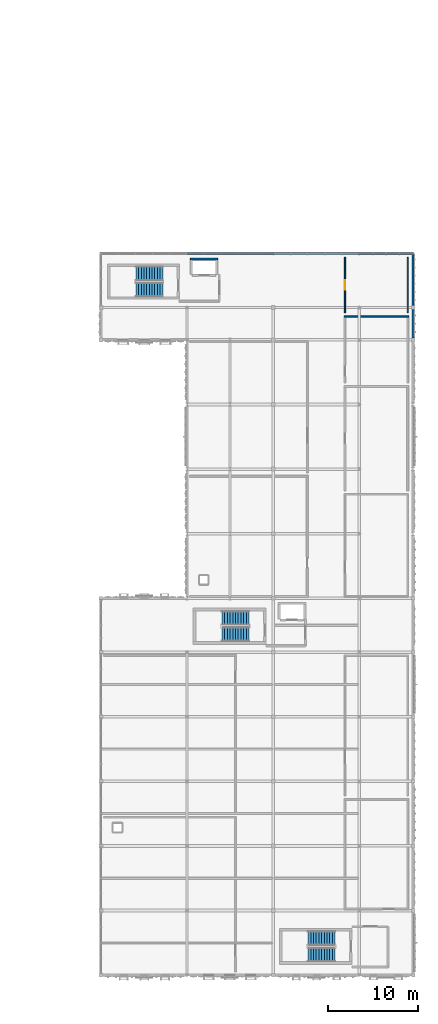
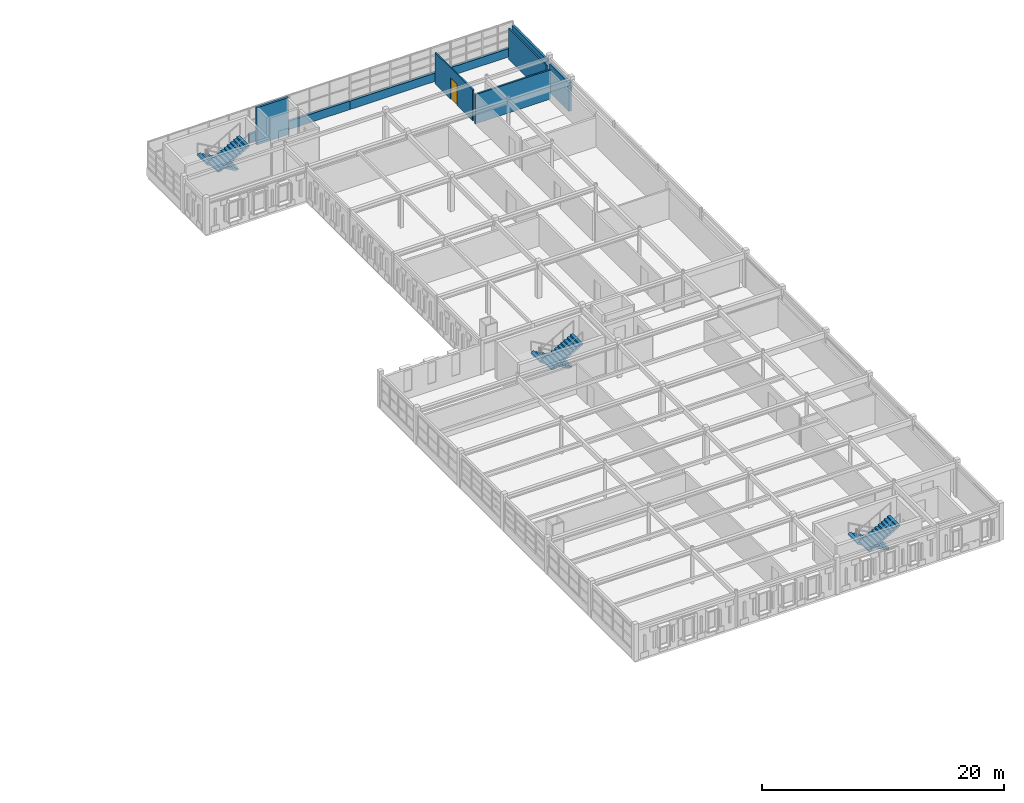
# One storey, part 31 of 46: 9 walls, 6 stair flights, 1 door, 1 opening, 3 elements without a shape of their own.
"""IFC4 building model written with IfcOpenShell, lengths in metres."""

from ifc_helpers import new_model, si_unit, direction, frame, frame_2d, origin, place, context, subcontext, project, spatial, polyline, rectangle, outline, extrude, material, layer, layer_set, type_object, element, fill, aggregate, save


model = new_model("IFC4")

# Units and contexts
model_context = context("Model", 3, precision=1e-05, world=origin(), true_north=direction((0.0, 1.0)))
body_context = subcontext(model_context, "Body", "Model", "MODEL_VIEW")
ifc_project = project(units=[si_unit("LENGTHUNIT", "METRE"), si_unit("AREAUNIT", "SQUARE_METRE"), si_unit("VOLUMEUNIT", "CUBIC_METRE"), si_unit("PLANEANGLEUNIT", "RADIAN"), si_unit("MASSUNIT", "GRAM", prefix="KILO")], contexts=[model_context])

# Site, building, storey
site_placement = place(None, origin())
site = spatial("IfcSite", under=ifc_project, at=site_placement, CompositionType="ELEMENT")
building_placement = place(site_placement, origin())
building = spatial("IfcBuilding", under=site, at=building_placement, Name="Nzembalo Square Collegiate School", CompositionType="ELEMENT")
storey_placement = place(building_placement, frame((0.0, 0.0, 17.340087890625)))
storey = spatial("IfcBuildingStorey", under=building, at=storey_placement, Name="L04", CompositionType="ELEMENT", Elevation=17.340087890625)

# Walls
ifc_material_1 = material(Name="Concrete C35/45", Category="concrete")
ifc_layer_1 = layer(ifc_material_1, 0.219970703125, Name="Concrete C35/45")
ifc_layer_set_1 = layer_set([ifc_layer_1], Name="Concrete C35/45")
wall_type_1 = type_object("IfcWallType", Name="SW08", PredefinedType="SHEAR", material=ifc_layer_set_1)
wall_1_placement = place(storey_placement, frame((140.780029296875, 88.2099609375, 0.0), z_axis=(0.0, 0.0, 1.0), x_axis=(1.0, 0.0, 0.0)))
element("IfcWall", 1, at=wall_1_placement, inside=storey, type_object=wall_type_1, Name="Lift LF3 shaft wall N L04", PredefinedType="SHEAR", context=body_context, shape_type="SweptSolid", body=[
    extrude(rectangle(XDim=3.0400390625, YDim=0.219970703125, at=frame_2d((1.52001953125, 0.0))), origin(), (0.0, 0.0, 1.0), 3.739990234375),
])
ifc_material_2 = material(Name="CLT CL24", Category="wood")
ifc_layer_2 = layer(ifc_material_2, 0.2451171875, Name="CLT CL24")
ifc_layer_set_2 = layer_set([ifc_layer_2], Name="CLT CL24")
wall_type_2 = type_object("IfcWallType", Name="W07", PredefinedType="SOLIDWALL", material=ifc_layer_set_2)
wall_2_placement = place(storey_placement, frame((150.0, 88.800048828125, 0.0), z_axis=(0.0, 0.0, 1.0), x_axis=(1.0, 0.0, 0.0)))
element("IfcWall", 2, at=wall_2_placement, inside=storey, type_object=wall_type_2, Name="Spandrel wall W07 L04", PredefinedType="SOLIDWALL", context=body_context, shape_type="SweptSolid", body=[
    extrude(rectangle(XDim=9.60009765625, YDim=0.2451171875, at=frame_2d((4.800048828125, 0.0))), origin(), (0.0, 0.0, 1.0), 0.849853515625),
])
wall_3_placement = place(storey_placement, frame((165.60009765625, 79.412109375, 0.0), z_axis=(0.0, 0.0, 1.0), x_axis=(0.0, 1.0, 0.0)))
element("IfcWall", 3, at=wall_3_placement, inside=storey, type_object=wall_type_2, Name="Exterior wall W07 L04", PredefinedType="SOLIDWALL", context=body_context, shape_type="SweptSolid", body=[
    extrude(rectangle(XDim=3.17578125, YDim=0.2451171875, at=frame_2d((1.587890625, 0.0))), origin(), (0.0, 0.0, 1.0), 2.868896484375),
])
ifc_material_3 = material(Name="CLT CL24", Category="wood")
ifc_layer_3 = layer(ifc_material_3, 0.215087890625, Name="CLT CL24")
ifc_layer_set_3 = layer_set([ifc_layer_3], Name="CLT CL24")
wall_type_3 = type_object("IfcWallType", Name="W08", PredefinedType="SOLIDWALL", material=ifc_layer_set_3)
wall_4_placement = place(storey_placement, frame((140.39990234375, 88.800048828125, 0.0), z_axis=(0.0, 0.0, 1.0), x_axis=(1.0, 0.0, 0.0)))
element("IfcWall", 4, at=wall_4_placement, inside=storey, type_object=wall_type_3, Name="Spandrel wall W08 L04", PredefinedType="SOLIDWALL", context=body_context, shape_type="SweptSolid", body=[
    extrude(rectangle(XDim=9.60009765625, YDim=0.215087890625, at=frame_2d((4.800048828125, 0.0))), origin(), (0.0, 0.0, 1.0), 0.849853515625),
])
wall_5_placement = place(storey_placement, frame((159.60009765625, 88.800048828125, 0.0), z_axis=(0.0, 0.0, 1.0), x_axis=(1.0, 0.0, 0.0)))
element("IfcWall", 5, at=wall_5_placement, inside=storey, type_object=wall_type_3, Name="Spandrel wall W08 L04", PredefinedType="SOLIDWALL", context=body_context, shape_type="SweptSolid", body=[
    extrude(rectangle(XDim=6.0, YDim=0.215087890625, at=frame_2d((3.0, 0.0))), origin(), (0.0, 0.0, 1.0), 0.849853515625),
])
wall_6_placement = place(storey_placement, frame((165.60009765625, 83.011962890625, 0.0), z_axis=(0.0, 0.0, 1.0), x_axis=(0.0, 1.0, 0.0)))
element("IfcWall", 6, at=wall_6_placement, inside=storey, type_object=wall_type_3, Name="Exterior wall W08 L04", PredefinedType="SOLIDWALL", context=body_context, shape_type="SweptSolid", body=[
    extrude(rectangle(XDim=5.7880859375, YDim=0.215087890625, at=frame_2d((2.89404296875, 0.0))), origin(), (0.0, 0.0, 1.0), 2.97900390625),
])
ifc_material_4 = material(Name="Moisture-resistant acoustic stud")
ifc_layer_4 = layer(ifc_material_4, 0.1650390625, Name="Moisture-resistant acoustic stud")
ifc_layer_set_4 = layer_set([ifc_layer_4], Name="Moisture-resistant acoustic stud")
wall_type_4 = type_object("IfcWallType", Name="W15", PredefinedType="PARTITIONING", material=ifc_layer_set_4)
wall_7_placement = place(storey_placement, frame((157.91748046875, 81.800048828125, 0.0), z_axis=(0.0, 0.0, 1.0), x_axis=(1.0, 0.0, 0.0)))
element("IfcWall", 7, at=wall_7_placement, inside=storey, type_object=wall_type_4, Name="Interior partition W15 L04-028-N", PredefinedType="PARTITIONING", context=body_context, shape_type="SweptSolid", body=[
    extrude(rectangle(XDim=7.1650390625, YDim=0.1650390625, at=frame_2d((3.58251953125, 0.0))), origin(), (0.0, 0.0, 1.0), 2.948974609375),
])

# Wall, opening, door
ifc_material_5 = material(Name="Cement-board wet-room partition")
ifc_layer_5 = layer(ifc_material_5, 0.135009765625, Name="Cement-board wet-room partition")
ifc_layer_set_5 = layer_set([ifc_layer_5], Name="Cement-board wet-room partition")
wall_type_5 = type_object("IfcWallType", Name="W19", PredefinedType="PARTITIONING", material=ifc_layer_set_5)
wall_8_placement = place(storey_placement, frame((158.0, 82.199951171875, 0.0), z_axis=(0.0, 0.0, 1.0), x_axis=(0.0, 1.0, 0.0)))
wall_8 = element("IfcWall", 8, at=wall_8_placement, inside=storey, type_object=wall_type_5, Name="Interior partition W19 L04-029-W", PredefinedType="PARTITIONING", context=body_context, shape_type="SweptSolid", body=[
    extrude(rectangle(XDim=6.199951171875, YDim=0.135009765625, at=frame_2d((3.10009765625, 0.0))), origin(), (0.0, 0.0, 1.0), 3.12890625),
])
opening_placement = place(wall_8_placement, frame((2.580078125, 0.0, 0.0)))
opening = element("IfcOpeningElement", 9, at=opening_placement, cuts=wall_8, Name="Opening D-L04-102", PredefinedType="OPENING", context=body_context, shape_type="SweptSolid", body=[
    extrude(rectangle(XDim=1.0400390625, YDim=2.1201171875, at=frame_2d((0.52001953125, 1.06005859375))), frame((0.0, 0.07763671875, 0.0), z_axis=(0.0, -1.0, 0.0), x_axis=(1.0, 0.0, 0.0)), (0.0, 0.0, 1.0), 0.155029296875),
])
ifc_material_6 = material(Name="Accessible outward-swing WC door")
door_type = type_object("IfcDoorType", Name="D09", OperationType="NOTDEFINED", PredefinedType="DOOR", material=ifc_material_6)
door_placement = place(opening_placement, origin())
door = element("IfcDoor", 10, at=door_placement, inside=storey, type_object=door_type, Name="Interior door D-L04-102 (East L04 Boys', Girls' and Wheelchair Accessible WCs)", OperationType="SINGLE_SWING_RIGHT", OverallHeight=2.1201171875, OverallWidth=1.0400390625, PredefinedType="DOOR", context=body_context, shape_type="SweptSolid", body=[
    extrude(rectangle(XDim=1.0400390625, YDim=2.1201171875, at=frame_2d((0.52001953125, 1.06005859375))), frame((0.0, 0.02490234375, 0.0), z_axis=(0.0, -1.0, 0.0), x_axis=(1.0, 0.0, 0.0)), (0.0, 0.0, 1.0), 0.050048828125),
])
fill(opening, door)

# Wall
wall_9_placement = place(storey_placement, frame((165.0, 82.199951171875, 0.0), z_axis=(0.0, 0.0, 1.0), x_axis=(0.0, 1.0, 0.0)))
element("IfcWall", 11, at=wall_9_placement, inside=storey, type_object=wall_type_5, Name="Interior partition W19 L04-029-E", PredefinedType="PARTITIONING", context=body_context, shape_type="SweptSolid", body=[
    extrude(rectangle(XDim=6.199951171875, YDim=0.135009765625, at=frame_2d((3.10009765625, 0.0))), origin(), (0.0, 0.0, 1.0), 3.12890625),
])

# Stair, stair flights
ifc_material_7 = material(Name="Precast concrete C40/50", Category="concrete")
stair_type = type_object("IfcStairType", Name="ST-22R", PredefinedType="HALF_TURN_STAIR", material=ifc_material_7)
stair_1_placement = place(storey_placement, origin())
stair_1 = element("IfcStair", 12, at=stair_1_placement, inside=storey, type_object=stair_type, Name="Escape stair ST-17 (C4 L04)", PredefinedType="HALF_TURN_STAIR")
ifc_material_8 = material(Name="Precast concrete C40/50", Category="concrete")
stair_flight_type = type_object("IfcStairFlightType", Name="FL-11R", PredefinedType="STRAIGHT", material=ifc_material_8)
stair_flight_1_placement = place(storey_placement, frame((137.699951171875, 86.60009765625, 0.0), z_axis=(0.0, 0.0, 1.0), x_axis=(-1.0, 0.0, 0.0)))
stair_flight_1 = element("IfcStairFlight", 13, at=stair_flight_1_placement, type_object=stair_flight_type, Name="ST-17 flight 1", NumberOfRisers=11, NumberOfTreads=10, PredefinedType="STRAIGHT", RiserHeight=0.17, TreadLength=0.3, context=body_context, shape_type="SweptSolid", body=[
    extrude(outline(polyline([(0.0, 0.0), (0.0, 0.169921875), (0.300048828125, 0.169921875), (0.300048828125, 0.340087890625), (0.60009765625, 0.340087890625), (0.60009765625, 0.510009765625), (0.89990234375, 0.510009765625), (0.89990234375, 0.679931640625), (1.199951171875, 0.679931640625), (1.199951171875, 0.85009765625), (1.5, 0.85009765625), (1.5, 1.02001953125), (1.800048828125, 1.02001953125), (1.800048828125, 1.18994140625), (2.10009765625, 1.18994140625), (2.10009765625, 1.360107421875), (2.39990234375, 1.360107421875), (2.39990234375, 1.530029296875), (2.699951171875, 1.530029296875), (2.699951171875, 1.699951171875), (3.0, 1.699951171875), (3.0, 1.8701171875), (3.0, 1.51611328125), (0.324462890625, 0.0), (0.0, 0.0)])), frame((0.0, 0.800048828125, 0.0), z_axis=(0.0, -1.0, 0.0), x_axis=(1.0, 0.0, 0.0)), (0.0, 0.0, 1.0), 1.60009765625),
])
stair_flight_2_placement = place(storey_placement, frame((134.699951171875, 84.800048828125, 1.869873046875), z_axis=(0.0, 0.0, 1.0), x_axis=(1.0, 0.0, 0.0)))
stair_flight_2 = element("IfcStairFlight", 14, at=stair_flight_2_placement, type_object=stair_flight_type, Name="ST-17 flight 2", NumberOfRisers=11, NumberOfTreads=10, PredefinedType="STRAIGHT", RiserHeight=0.17, TreadLength=0.3, context=body_context, shape_type="SweptSolid", body=[
    extrude(outline(polyline([(0.0, 0.0), (0.0, 0.169921875), (0.300048828125, 0.169921875), (0.300048828125, 0.340087890625), (0.60009765625, 0.340087890625), (0.60009765625, 0.510009765625), (0.89990234375, 0.510009765625), (0.89990234375, 0.679931640625), (1.199951171875, 0.679931640625), (1.199951171875, 0.85009765625), (1.5, 0.85009765625), (1.5, 1.02001953125), (1.800048828125, 1.02001953125), (1.800048828125, 1.18994140625), (2.10009765625, 1.18994140625), (2.10009765625, 1.360107421875), (2.39990234375, 1.360107421875), (2.39990234375, 1.530029296875), (2.699951171875, 1.530029296875), (2.699951171875, 1.699951171875), (3.0, 1.699951171875), (3.0, 1.8701171875), (3.0, 1.51611328125), (0.324462890625, 0.0), (0.0, 0.0)])), frame((0.0, 0.800048828125, 0.0), z_axis=(0.0, -1.0, 0.0), x_axis=(1.0, 0.0, 0.0)), (0.0, 0.0, 1.0), 1.60009765625),
])
aggregate(stair_1, [stair_flight_1, stair_flight_2])

stair_2_placement = place(storey_placement, origin())
stair_2 = element("IfcStair", 15, at=stair_2_placement, inside=storey, type_object=stair_type, Name="Escape stair ST-23 (C5 L04)", PredefinedType="HALF_TURN_STAIR")
stair_flight_3_placement = place(storey_placement, frame((147.300048828125, 48.199951171875, 0.0), z_axis=(0.0, 0.0, 1.0), x_axis=(-1.0, 0.0, 0.0)))
stair_flight_3 = element("IfcStairFlight", 16, at=stair_flight_3_placement, type_object=stair_flight_type, Name="ST-23 flight 1", NumberOfRisers=11, NumberOfTreads=10, PredefinedType="STRAIGHT", RiserHeight=0.17, TreadLength=0.3, context=body_context, shape_type="SweptSolid", body=[
    extrude(outline(polyline([(0.0, 0.0), (0.0, 0.169921875), (0.300048828125, 0.169921875), (0.300048828125, 0.340087890625), (0.60009765625, 0.340087890625), (0.60009765625, 0.510009765625), (0.89990234375, 0.510009765625), (0.89990234375, 0.679931640625), (1.199951171875, 0.679931640625), (1.199951171875, 0.85009765625), (1.5, 0.85009765625), (1.5, 1.02001953125), (1.800048828125, 1.02001953125), (1.800048828125, 1.18994140625), (2.10009765625, 1.18994140625), (2.10009765625, 1.360107421875), (2.39990234375, 1.360107421875), (2.39990234375, 1.530029296875), (2.699951171875, 1.530029296875), (2.699951171875, 1.699951171875), (3.0, 1.699951171875), (3.0, 1.8701171875), (3.0, 1.51611328125), (0.324462890625, 0.0), (0.0, 0.0)])), frame((0.0, 0.800048828125, 0.0), z_axis=(0.0, -1.0, 0.0), x_axis=(1.0, 0.0, 0.0)), (0.0, 0.0, 1.0), 1.60009765625),
])
stair_flight_4_placement = place(storey_placement, frame((144.300048828125, 46.39990234375, 1.869873046875), z_axis=(0.0, 0.0, 1.0), x_axis=(1.0, 0.0, 0.0)))
stair_flight_4 = element("IfcStairFlight", 17, at=stair_flight_4_placement, type_object=stair_flight_type, Name="ST-23 flight 2", NumberOfRisers=11, NumberOfTreads=10, PredefinedType="STRAIGHT", RiserHeight=0.17, TreadLength=0.3, context=body_context, shape_type="SweptSolid", body=[
    extrude(outline(polyline([(0.0, 0.0), (0.0, 0.169921875), (0.300048828125, 0.169921875), (0.300048828125, 0.340087890625), (0.60009765625, 0.340087890625), (0.60009765625, 0.510009765625), (0.89990234375, 0.510009765625), (0.89990234375, 0.679931640625), (1.199951171875, 0.679931640625), (1.199951171875, 0.85009765625), (1.5, 0.85009765625), (1.5, 1.02001953125), (1.800048828125, 1.02001953125), (1.800048828125, 1.18994140625), (2.10009765625, 1.18994140625), (2.10009765625, 1.360107421875), (2.39990234375, 1.360107421875), (2.39990234375, 1.530029296875), (2.699951171875, 1.530029296875), (2.699951171875, 1.699951171875), (3.0, 1.699951171875), (3.0, 1.8701171875), (3.0, 1.51611328125), (0.324462890625, 0.0), (0.0, 0.0)])), frame((0.0, 0.800048828125, 0.0), z_axis=(0.0, -1.0, 0.0), x_axis=(1.0, 0.0, 0.0)), (0.0, 0.0, 1.0), 1.60009765625),
])
aggregate(stair_2, [stair_flight_3, stair_flight_4])

stair_3_placement = place(storey_placement, origin())
stair_3 = element("IfcStair", 18, at=stair_3_placement, inside=storey, type_object=stair_type, Name="Escape stair ST-28 (C6 L04)", PredefinedType="HALF_TURN_STAIR")
stair_flight_5_placement = place(storey_placement, frame((156.89990234375, 12.5, 0.0), z_axis=(0.0, 0.0, 1.0), x_axis=(-1.0, 0.0, 0.0)))
stair_flight_5 = element("IfcStairFlight", 19, at=stair_flight_5_placement, type_object=stair_flight_type, Name="ST-28 flight 1", NumberOfRisers=11, NumberOfTreads=10, PredefinedType="STRAIGHT", RiserHeight=0.17, TreadLength=0.3, context=body_context, shape_type="SweptSolid", body=[
    extrude(outline(polyline([(0.0, 0.0), (0.0, 0.169921875), (0.300048828125, 0.169921875), (0.300048828125, 0.340087890625), (0.60009765625, 0.340087890625), (0.60009765625, 0.510009765625), (0.89990234375, 0.510009765625), (0.89990234375, 0.679931640625), (1.199951171875, 0.679931640625), (1.199951171875, 0.85009765625), (1.5, 0.85009765625), (1.5, 1.02001953125), (1.800048828125, 1.02001953125), (1.800048828125, 1.18994140625), (2.10009765625, 1.18994140625), (2.10009765625, 1.360107421875), (2.39990234375, 1.360107421875), (2.39990234375, 1.530029296875), (2.699951171875, 1.530029296875), (2.699951171875, 1.699951171875), (3.0, 1.699951171875), (3.0, 1.8701171875), (3.0, 1.51611328125), (0.324462890625, 0.0), (0.0, 0.0)])), frame((0.0, 0.800048828125, 0.0), z_axis=(0.0, -1.0, 0.0), x_axis=(1.0, 0.0, 0.0)), (0.0, 0.0, 1.0), 1.60009765625),
])
stair_flight_6_placement = place(storey_placement, frame((153.89990234375, 10.699951171875, 1.869873046875), z_axis=(0.0, 0.0, 1.0), x_axis=(1.0, 0.0, 0.0)))
stair_flight_6 = element("IfcStairFlight", 20, at=stair_flight_6_placement, type_object=stair_flight_type, Name="ST-28 flight 2", NumberOfRisers=11, NumberOfTreads=10, PredefinedType="STRAIGHT", RiserHeight=0.17, TreadLength=0.3, context=body_context, shape_type="SweptSolid", body=[
    extrude(outline(polyline([(0.0, 0.0), (0.0, 0.169921875), (0.300048828125, 0.169921875), (0.300048828125, 0.340087890625), (0.60009765625, 0.340087890625), (0.60009765625, 0.510009765625), (0.89990234375, 0.510009765625), (0.89990234375, 0.679931640625), (1.199951171875, 0.679931640625), (1.199951171875, 0.85009765625), (1.5, 0.85009765625), (1.5, 1.02001953125), (1.800048828125, 1.02001953125), (1.800048828125, 1.18994140625), (2.10009765625, 1.18994140625), (2.10009765625, 1.360107421875), (2.39990234375, 1.360107421875), (2.39990234375, 1.530029296875), (2.699951171875, 1.530029296875), (2.699951171875, 1.699951171875), (3.0, 1.699951171875), (3.0, 1.8701171875), (3.0, 1.51611328125), (0.324462890625, 0.0), (0.0, 0.0)])), frame((0.0, 0.800048828125, 0.0), z_axis=(0.0, -1.0, 0.0), x_axis=(1.0, 0.0, 0.0)), (0.0, 0.0, 1.0), 1.60009765625),
])
aggregate(stair_3, [stair_flight_5, stair_flight_6])

save(model, "model.ifc")
